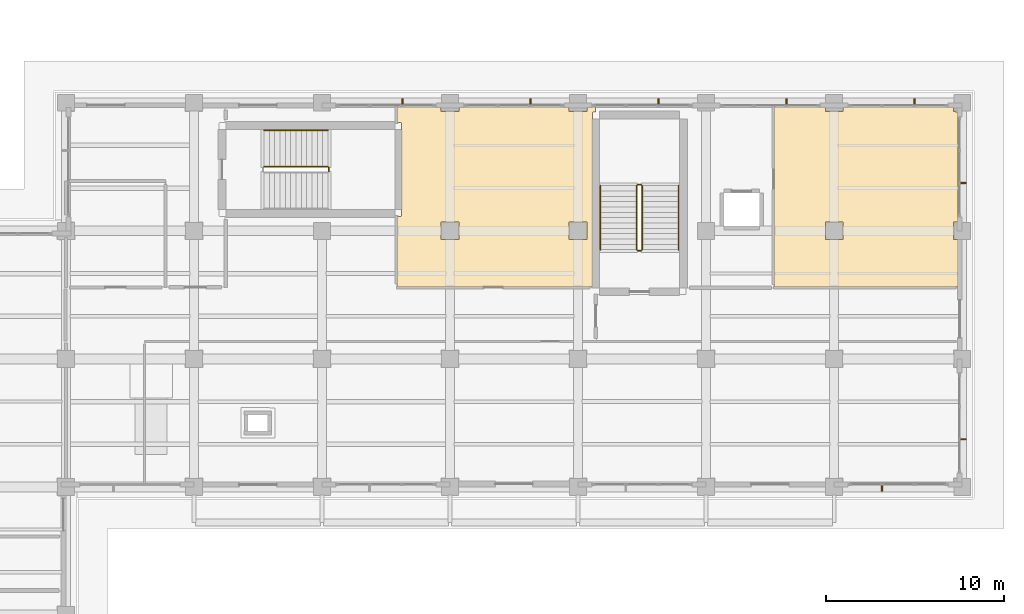
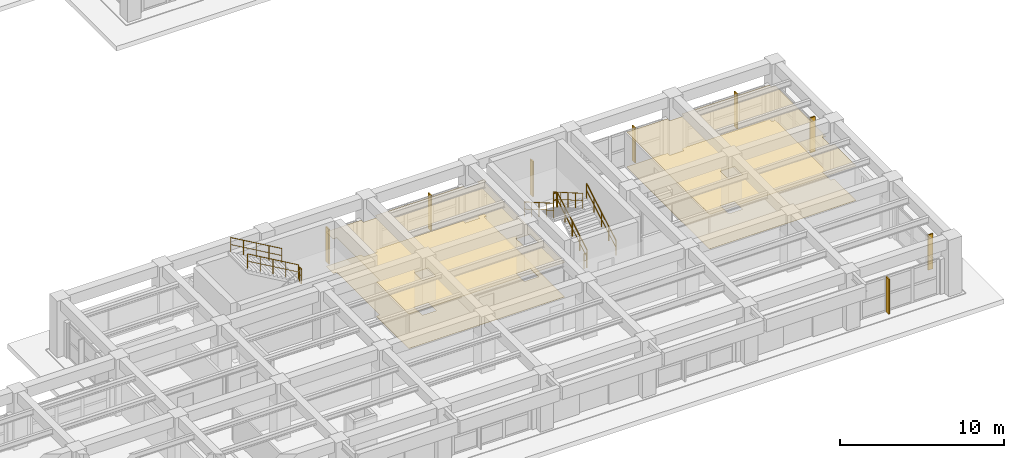
# One storey, part 63 of 64: 9 railings, 8 shading devices, 4 coverings.
"""IFC4 building model written with IfcOpenShell, lengths in metres."""

from ifc_helpers import new_model, si_unit, direction, frame, origin, origin_2d, place, context, subcontext, project, spatial, polyline, rectangle, circle, outline, extrude, material, layer, layer_set, material_profile, profile_set, type_object, element, save


model = new_model("IFC4")

# Units and contexts
model_context = context("Model", 3, precision=1e-05, world=origin(), true_north=direction((0.0, 1.0)))
body_context = subcontext(model_context, "Body", "Model", "MODEL_VIEW")
ifc_project = project(units=[si_unit("LENGTHUNIT", "METRE"), si_unit("AREAUNIT", "SQUARE_METRE"), si_unit("VOLUMEUNIT", "CUBIC_METRE"), si_unit("PLANEANGLEUNIT", "RADIAN"), si_unit("MASSUNIT", "GRAM", prefix="KILO")], contexts=[model_context])

# Site, building, storey
site_placement = place(None, origin())
site = spatial("IfcSite", under=ifc_project, at=site_placement, CompositionType="ELEMENT")
building_placement = place(site_placement, origin())
building = spatial("IfcBuilding", under=site, at=building_placement, Name="Solenvale Faculty of Natural Sciences", CompositionType="ELEMENT")
storey_placement = place(building_placement, origin())
storey = spatial("IfcBuildingStorey", under=building, at=storey_placement, Name="L00", CompositionType="ELEMENT", Elevation=0.0)

# Coverings
ifc_material_1 = material(Name="Oak slatted acoustic timber ceiling", Category="wood")
ifc_layer_1 = layer(ifc_material_1, 0.034912109375)
ifc_layer_set_1 = layer_set([ifc_layer_1], Name="Oak slatted acoustic timber ceiling")
covering_type_1 = type_object("IfcCoveringType", Name="COV-CEIL-WD35", PredefinedType="CEILING", material=ifc_layer_set_1)
covering_1_placement = place(storey_placement, frame((0.0, 0.0, 2.56494140625)))
element("IfcCovering", 1, at=covering_1_placement, inside=storey, type_object=covering_type_1, Name="L00 Learning Commons Acoustic Ceiling", PredefinedType="CEILING", context=body_context, shape_type="SweptSolid", body=[
    extrude(outline(polyline([(133.820068359375, 51.18994140625), (133.846923828125, 51.219970703125), (134.056884765625, 51.220947265625), (134.080078125, 51.25), (134.080078125, 56.450927734375), (134.054931640625, 56.47998046875), (133.846923828125, 56.47998046875), (133.821044921875, 56.5009765625), (133.820068359375, 57.330078125), (133.8359375, 57.35595703125), (136.27294921875, 57.360107421875), (136.300048828125, 57.3330078125), (136.300048828125, 57.111083984375), (136.31103515625, 57.10009765625), (137.29296875, 57.10009765625), (137.300048828125, 57.3330078125), (137.330078125, 57.360107421875), (143.469970703125, 57.360107421875), (143.4990234375, 57.3359375), (143.5, 57.111083984375), (143.510986328125, 57.10009765625), (144.491943359375, 57.10009765625), (144.5, 57.3330078125), (144.51611328125, 57.35595703125), (144.949951171875, 57.360107421875), (144.97607421875, 57.343994140625), (144.97607421875, 57.095947265625), (144.952880859375, 57.080078125), (144.842041015625, 57.0791015625), (144.820068359375, 57.050048828125), (144.820068359375, 47.27001953125), (144.803955078125, 47.243896484375), (133.839111328125, 47.241943359375), (133.820068359375, 47.27001953125), (133.820068359375, 51.18994140625)]), holes=[polyline([(144.5, 50.888916015625), (144.489013671875, 50.89990234375), (143.5029296875, 50.89697265625), (143.5029296875, 49.903076171875), (144.4970703125, 49.903076171875), (144.5, 50.888916015625)]), polyline([(137.300048828125, 50.888916015625), (137.2890625, 50.89990234375), (136.302978515625, 50.89697265625), (136.302978515625, 49.903076171875), (137.297119140625, 49.903076171875), (137.300048828125, 50.888916015625)])]), origin(), (0.0, 0.0, 1.0), 0.03515625),
])
covering_2_placement = place(storey_placement, frame((0.0, 0.0, 2.56494140625)))
element("IfcCovering", 2, at=covering_2_placement, inside=storey, type_object=covering_type_1, Name="L00 Academic Bookshop and Study Commons Acoustic Ceiling", PredefinedType="CEILING", context=body_context, shape_type="SweptSolid", body=[
    extrude(outline(polyline([(155.050048828125, 47.239990234375), (155.029052734375, 47.2490234375), (155.02001953125, 47.27001953125), (155.02001953125, 57.330078125), (155.029052734375, 57.35107421875), (155.050048828125, 57.360107421875), (157.873046875, 57.360107421875), (157.89990234375, 57.3330078125), (157.906982421875, 57.10009765625), (158.888916015625, 57.10009765625), (158.89990234375, 57.111083984375), (158.90087890625, 57.3359375), (158.929931640625, 57.360107421875), (165.070068359375, 57.360107421875), (165.10009765625, 57.3330078125), (165.10302734375, 57.10302734375), (165.35107421875, 57.091064453125), (165.360107421875, 57.070068359375), (165.360107421875, 50.929931640625), (165.3359375, 50.90087890625), (165.111083984375, 50.89990234375), (165.10009765625, 50.888916015625), (165.10009765625, 49.906982421875), (165.3330078125, 49.89990234375), (165.360107421875, 49.873046875), (165.360107421875, 47.27001953125), (165.35107421875, 47.2490234375), (165.330078125, 47.239990234375), (155.050048828125, 47.239990234375)]), holes=[polyline([(158.89990234375, 50.888916015625), (158.888916015625, 50.89990234375), (157.903076171875, 50.89697265625), (157.903076171875, 49.903076171875), (158.89697265625, 49.903076171875), (158.89990234375, 50.888916015625)])]), origin(), (0.0, 0.0, 1.0), 0.03515625),
])
ifc_material_2 = material(Name="Polished slate terrazzo flooring", Category="masonry")
ifc_layer_2 = layer(ifc_material_2, 0.01806640625)
ifc_layer_set_2 = layer_set([ifc_layer_2], Name="Polished slate terrazzo flooring")
covering_type_2 = type_object("IfcCoveringType", Name="COV-FLR-TRZ18", PredefinedType="FLOORING", material=ifc_layer_set_2)
covering_3_placement = place(storey_placement, origin())
element("IfcCovering", 3, at=covering_3_placement, inside=storey, type_object=covering_type_2, Name="L00 Learning Commons Floor Finish", PredefinedType="FLOORING", context=body_context, shape_type="SweptSolid", body=[
    extrude(outline(polyline([(133.820068359375, 51.18994140625), (133.846923828125, 51.219970703125), (134.056884765625, 51.220947265625), (134.080078125, 51.25), (134.080078125, 56.450927734375), (134.054931640625, 56.47998046875), (133.846923828125, 56.47998046875), (133.821044921875, 56.5009765625), (133.820068359375, 57.330078125), (133.8359375, 57.35595703125), (136.27294921875, 57.360107421875), (136.300048828125, 57.3330078125), (136.300048828125, 57.111083984375), (136.31103515625, 57.10009765625), (137.29296875, 57.10009765625), (137.300048828125, 57.3330078125), (137.330078125, 57.360107421875), (143.469970703125, 57.360107421875), (143.4990234375, 57.3359375), (143.5, 57.111083984375), (143.510986328125, 57.10009765625), (144.491943359375, 57.10009765625), (144.5, 57.3330078125), (144.51611328125, 57.35595703125), (144.949951171875, 57.360107421875), (144.97607421875, 57.343994140625), (144.97607421875, 57.095947265625), (144.952880859375, 57.080078125), (144.842041015625, 57.0791015625), (144.820068359375, 57.050048828125), (144.820068359375, 47.27001953125), (144.803955078125, 47.243896484375), (133.839111328125, 47.241943359375), (133.820068359375, 47.27001953125), (133.820068359375, 51.18994140625)]), holes=[polyline([(144.5, 50.888916015625), (144.489013671875, 50.89990234375), (143.5029296875, 50.89697265625), (143.5029296875, 49.903076171875), (144.4970703125, 49.903076171875), (144.5, 50.888916015625)]), polyline([(137.300048828125, 50.888916015625), (137.2890625, 50.89990234375), (136.302978515625, 50.89697265625), (136.302978515625, 49.903076171875), (137.297119140625, 49.903076171875), (137.300048828125, 50.888916015625)])]), origin(), (0.0, 0.0, 1.0), 0.01806640625),
])
covering_4_placement = place(storey_placement, origin())
element("IfcCovering", 4, at=covering_4_placement, inside=storey, type_object=covering_type_2, Name="L00 Academic Bookshop and Study Commons Floor Finish", PredefinedType="FLOORING", context=body_context, shape_type="SweptSolid", body=[
    extrude(outline(polyline([(155.050048828125, 47.239990234375), (155.029052734375, 47.2490234375), (155.02001953125, 47.27001953125), (155.02001953125, 57.330078125), (155.029052734375, 57.35107421875), (155.050048828125, 57.360107421875), (157.873046875, 57.360107421875), (157.89990234375, 57.3330078125), (157.906982421875, 57.10009765625), (158.888916015625, 57.10009765625), (158.89990234375, 57.111083984375), (158.90087890625, 57.3359375), (158.929931640625, 57.360107421875), (165.070068359375, 57.360107421875), (165.10009765625, 57.3330078125), (165.10302734375, 57.10302734375), (165.35107421875, 57.091064453125), (165.360107421875, 57.070068359375), (165.360107421875, 50.929931640625), (165.3359375, 50.90087890625), (165.111083984375, 50.89990234375), (165.10009765625, 50.888916015625), (165.10009765625, 49.906982421875), (165.3330078125, 49.89990234375), (165.360107421875, 49.873046875), (165.360107421875, 47.27001953125), (165.35107421875, 47.2490234375), (165.330078125, 47.239990234375), (155.050048828125, 47.239990234375)]), holes=[polyline([(158.89990234375, 50.888916015625), (158.888916015625, 50.89990234375), (157.903076171875, 50.89697265625), (157.903076171875, 49.903076171875), (158.89697265625, 49.903076171875), (158.89990234375, 50.888916015625)])]), origin(), (0.0, 0.0, 1.0), 0.01806640625),
])

# Railings
ifc_material_3 = material(Name="Stainless steel Grade 304", Category="steel")
railing_type_1 = type_object("IfcRailingType", Name="RL-GRD-1100", PredefinedType="GUARDRAIL", material=ifc_material_3)
railing_1_placement = place(storey_placement, frame((147.60009765625, 49.340087890625, 0.173095703125)))
element("IfcRailing", 5, at=railing_1_placement, inside=storey, type_object=railing_type_1, Name="L00 ST-02 stair guard 1", PredefinedType="GUARDRAIL", context=body_context, shape_type="SweptSolid", body=[
    extrude(circle(Radius=0.02392578125, at=origin_2d()), frame((0.0, 0.0, 1.09619140625), z_axis=(0.0, 0.866178740119, 0.499734319579), x_axis=(-1.0, 0.0, 0.0)), (0.0, 0.0, 1.0), 4.156005859375),
    extrude(circle(Radius=0.01611328125, at=origin_2d()), frame((0.0, 0.0, 0.56005859375), z_axis=(0.0, 0.866178740119, 0.499734319579), x_axis=(-1.0, 0.0, 0.0)), (0.0, 0.0, 1.0), 4.156005859375),
    extrude(circle(Radius=0.02099609375, at=origin_2d()), origin(), (0.0, 0.0, 1.0), 1.072021484375),
    extrude(circle(Radius=0.02099609375, at=origin_2d()), frame((0.0, 0.89990234375, 0.519287109375)), (0.0, 0.0, 1.0), 1.072021484375),
    extrude(circle(Radius=0.02099609375, at=origin_2d()), frame((0.0, 1.7998046875, 1.03857421875)), (0.0, 0.0, 1.0), 1.072021484375),
    extrude(circle(Radius=0.02099609375, at=origin_2d()), frame((0.0, 2.699951171875, 1.5576171875)), (0.0, 0.0, 1.0), 1.072021484375),
    extrude(circle(Radius=0.02099609375, at=origin_2d()), frame((0.0, 3.599853515625, 2.076904296875)), (0.0, 0.0, 1.0), 1.072021484375),
])
railing_2_placement = place(storey_placement, frame((147.550048828125, 52.989990234375, 2.25)))
element("IfcRailing", 6, at=railing_2_placement, inside=storey, type_object=railing_type_1, Name="L00 ST-02 stair guard 2", PredefinedType="GUARDRAIL", context=body_context, shape_type="SweptSolid", body=[
    extrude(circle(Radius=0.02392578125, at=origin_2d()), frame((0.0, 0.0, 1.09619140625), z_axis=(-1.0, 0.0, 0.0), x_axis=(0.0, -1.0, 0.0)), (0.0, 0.0, 1.0), 0.199951171875),
    extrude(circle(Radius=0.01611328125, at=origin_2d()), frame((0.0, 0.0, 0.56005859375), z_axis=(-1.0, 0.0, 0.0), x_axis=(0.0, -1.0, 0.0)), (0.0, 0.0, 1.0), 0.199951171875),
    extrude(circle(Radius=0.02099609375, at=origin_2d()), origin(), (0.0, 0.0, 1.0), 1.072021484375),
    extrude(circle(Radius=0.02099609375, at=origin_2d()), frame((-0.199951171875, 0.0, 0.0)), (0.0, 0.0, 1.0), 1.072021484375),
])
railing_3_placement = place(storey_placement, frame((147.300048828125, 52.93994140625, 2.423095703125)))
element("IfcRailing", 7, at=railing_3_placement, inside=storey, type_object=railing_type_1, Name="L00 ST-02 stair guard 3", PredefinedType="GUARDRAIL", context=body_context, shape_type="SweptSolid", body=[
    extrude(circle(Radius=0.02392578125, at=origin_2d()), frame((0.0, 0.0, 1.09619140625), z_axis=(0.0, -0.866178740119, 0.499734319579), x_axis=(1.0, 0.0, 0.0)), (0.0, 0.0, 1.0), 4.156005859375),
    extrude(circle(Radius=0.01611328125, at=origin_2d()), frame((0.0, 0.0, 0.56005859375), z_axis=(0.0, -0.866178740119, 0.499734319579), x_axis=(1.0, 0.0, 0.0)), (0.0, 0.0, 1.0), 4.156005859375),
    extrude(circle(Radius=0.02099609375, at=origin_2d()), origin(), (0.0, 0.0, 1.0), 1.072021484375),
    extrude(circle(Radius=0.02099609375, at=origin_2d()), frame((0.0, -0.89990234375, 0.519287109375)), (0.0, 0.0, 1.0), 1.072021484375),
    extrude(circle(Radius=0.02099609375, at=origin_2d()), frame((0.0, -1.7998046875, 1.03857421875)), (0.0, 0.0, 1.0), 1.072021484375),
    extrude(circle(Radius=0.02099609375, at=origin_2d()), frame((0.0, -2.699951171875, 1.5576171875)), (0.0, 0.0, 1.0), 1.072021484375),
    extrude(circle(Radius=0.02099609375, at=origin_2d()), frame((0.0, -3.599853515625, 2.076904296875)), (0.0, 0.0, 1.0), 1.072021484375),
])
railing_4_placement = place(storey_placement, frame((147.550048828125, 49.2900390625, 0.0)))
element("IfcRailing", 8, at=railing_4_placement, inside=storey, type_object=railing_type_1, Name="L00 ST-02 stair guard 4", PredefinedType="GUARDRAIL", context=body_context, shape_type="SweptSolid", body=[
    extrude(circle(Radius=0.02392578125, at=origin_2d()), frame((0.0, 0.0, 1.09619140625), z_axis=(-1.0, 0.0, 0.0), x_axis=(0.0, -1.0, 0.0)), (0.0, 0.0, 1.0), 0.199951171875),
    extrude(circle(Radius=0.01611328125, at=origin_2d()), frame((0.0, 0.0, 0.56005859375), z_axis=(-1.0, 0.0, 0.0), x_axis=(0.0, -1.0, 0.0)), (0.0, 0.0, 1.0), 0.199951171875),
    extrude(circle(Radius=0.02099609375, at=origin_2d()), origin(), (0.0, 0.0, 1.0), 1.072021484375),
    extrude(circle(Radius=0.02099609375, at=origin_2d()), frame((-0.199951171875, 0.0, 0.0)), (0.0, 0.0, 1.0), 1.072021484375),
])
railing_5_placement = place(storey_placement, frame((129.989990234375, 53.75, 2.25)))
element("IfcRailing", 9, at=railing_5_placement, inside=storey, type_object=railing_type_1, Name="L00 ST-08 stair guard 2", PredefinedType="GUARDRAIL", context=body_context, shape_type="SweptSolid", body=[
    extrude(circle(Radius=0.02392578125, at=origin_2d()), frame((0.0, 0.0, 1.09619140625), z_axis=(0.0, 1.0, 0.0), x_axis=(-1.0, 0.0, 0.0)), (0.0, 0.0, 1.0), 0.199951171875),
    extrude(circle(Radius=0.01611328125, at=origin_2d()), frame((0.0, 0.0, 0.56005859375), z_axis=(0.0, 1.0, 0.0), x_axis=(-1.0, 0.0, 0.0)), (0.0, 0.0, 1.0), 0.199951171875),
    extrude(circle(Radius=0.02099609375, at=origin_2d()), origin(), (0.0, 0.0, 1.0), 1.072021484375),
    extrude(circle(Radius=0.02099609375, at=origin_2d()), frame((0.0, 0.199951171875, 0.0)), (0.0, 0.0, 1.0), 1.072021484375),
])
railing_6_placement = place(storey_placement, frame((129.93994140625, 54.0, 2.423095703125)))
element("IfcRailing", 10, at=railing_6_placement, inside=storey, type_object=railing_type_1, Name="L00 ST-08 stair guard 3", PredefinedType="GUARDRAIL", context=body_context, shape_type="SweptSolid", body=[
    extrude(circle(Radius=0.02392578125, at=origin_2d()), frame((0.0, 0.0, 1.09619140625), z_axis=(-0.866178740119, 0.0, 0.499734319579), x_axis=(0.0, -1.0, 0.0)), (0.0, 0.0, 1.0), 4.156005859375),
    extrude(circle(Radius=0.01611328125, at=origin_2d()), frame((0.0, 0.0, 0.56005859375), z_axis=(-0.866178740119, 0.0, 0.499734319579), x_axis=(0.0, -1.0, 0.0)), (0.0, 0.0, 1.0), 4.156005859375),
    extrude(circle(Radius=0.02099609375, at=origin_2d()), origin(), (0.0, 0.0, 1.0), 1.072021484375),
    extrude(circle(Radius=0.02099609375, at=origin_2d()), frame((-0.89990234375, 0.0, 0.519287109375)), (0.0, 0.0, 1.0), 1.072021484375),
    extrude(circle(Radius=0.02099609375, at=origin_2d()), frame((-1.7998046875, 0.0, 1.03857421875)), (0.0, 0.0, 1.0), 1.072021484375),
    extrude(circle(Radius=0.02099609375, at=origin_2d()), frame((-2.699951171875, 0.0, 1.5576171875)), (0.0, 0.0, 1.0), 1.072021484375),
    extrude(circle(Radius=0.02099609375, at=origin_2d()), frame((-3.599853515625, 0.0, 2.076904296875)), (0.0, 0.0, 1.0), 1.072021484375),
])
railing_type_2 = type_object("IfcRailingType", Name="RL-HND-900", PredefinedType="HANDRAIL", material=ifc_material_3)
railing_7_placement = place(storey_placement, frame((149.64990234375, 49.340087890625, 0.173095703125)))
element("IfcRailing", 11, at=railing_7_placement, inside=storey, type_object=railing_type_2, Name="L00 ST-02 stair handrail 1", PredefinedType="HANDRAIL", context=body_context, shape_type="SweptSolid", body=[
    extrude(circle(Radius=0.02392578125, at=origin_2d()), frame((0.0, 0.0, 1.0732421875), z_axis=(0.0, 0.866178740119, 0.499734319579), x_axis=(-1.0, 0.0, 0.0)), (0.0, 0.0, 1.0), 4.156005859375),
    extrude(circle(Radius=0.01611328125, at=origin_2d()), frame((0.0, 0.0, 0.548583984375), z_axis=(0.0, 0.866178740119, 0.499734319579), x_axis=(-1.0, 0.0, 0.0)), (0.0, 0.0, 1.0), 4.156005859375),
    extrude(circle(Radius=0.02099609375, at=origin_2d()), origin(), (0.0, 0.0, 1.0), 1.049072265625),
    extrude(circle(Radius=0.02099609375, at=origin_2d()), frame((0.0, 0.89990234375, 0.519287109375)), (0.0, 0.0, 1.0), 1.049072265625),
    extrude(circle(Radius=0.02099609375, at=origin_2d()), frame((0.0, 1.7998046875, 1.03857421875)), (0.0, 0.0, 1.0), 1.049072265625),
    extrude(circle(Radius=0.02099609375, at=origin_2d()), frame((0.0, 2.699951171875, 1.5576171875)), (0.0, 0.0, 1.0), 1.049072265625),
    extrude(circle(Radius=0.02099609375, at=origin_2d()), frame((0.0, 3.599853515625, 2.076904296875)), (0.0, 0.0, 1.0), 1.049072265625),
])
railing_8_placement = place(storey_placement, frame((145.25, 52.93994140625, 2.423095703125)))
element("IfcRailing", 12, at=railing_8_placement, inside=storey, type_object=railing_type_2, Name="L00 ST-02 stair handrail 2", PredefinedType="HANDRAIL", context=body_context, shape_type="SweptSolid", body=[
    extrude(circle(Radius=0.02392578125, at=origin_2d()), frame((0.0, 0.0, 1.0732421875), z_axis=(0.0, -0.866178740119, 0.499734319579), x_axis=(1.0, 0.0, 0.0)), (0.0, 0.0, 1.0), 4.156005859375),
    extrude(circle(Radius=0.01611328125, at=origin_2d()), frame((0.0, 0.0, 0.548583984375), z_axis=(0.0, -0.866178740119, 0.499734319579), x_axis=(1.0, 0.0, 0.0)), (0.0, 0.0, 1.0), 4.156005859375),
    extrude(circle(Radius=0.02099609375, at=origin_2d()), origin(), (0.0, 0.0, 1.0), 1.049072265625),
    extrude(circle(Radius=0.02099609375, at=origin_2d()), frame((0.0, -0.89990234375, 0.519287109375)), (0.0, 0.0, 1.0), 1.049072265625),
    extrude(circle(Radius=0.02099609375, at=origin_2d()), frame((0.0, -1.7998046875, 1.03857421875)), (0.0, 0.0, 1.0), 1.049072265625),
    extrude(circle(Radius=0.02099609375, at=origin_2d()), frame((0.0, -2.699951171875, 1.5576171875)), (0.0, 0.0, 1.0), 1.049072265625),
    extrude(circle(Radius=0.02099609375, at=origin_2d()), frame((0.0, -3.599853515625, 2.076904296875)), (0.0, 0.0, 1.0), 1.049072265625),
])
railing_9_placement = place(storey_placement, frame((129.93994140625, 56.050048828125, 2.423095703125)))
element("IfcRailing", 13, at=railing_9_placement, inside=storey, type_object=railing_type_2, Name="L00 ST-08 stair handrail 2", PredefinedType="HANDRAIL", context=body_context, shape_type="SweptSolid", body=[
    extrude(circle(Radius=0.02392578125, at=origin_2d()), frame((0.0, 0.0, 1.0732421875), z_axis=(-0.866178740119, 0.0, 0.499734319579), x_axis=(0.0, -1.0, 0.0)), (0.0, 0.0, 1.0), 4.156005859375),
    extrude(circle(Radius=0.01611328125, at=origin_2d()), frame((0.0, 0.0, 0.548583984375), z_axis=(-0.866178740119, 0.0, 0.499734319579), x_axis=(0.0, -1.0, 0.0)), (0.0, 0.0, 1.0), 4.156005859375),
    extrude(circle(Radius=0.02099609375, at=origin_2d()), origin(), (0.0, 0.0, 1.0), 1.049072265625),
    extrude(circle(Radius=0.02099609375, at=origin_2d()), frame((-0.89990234375, 0.0, 0.519287109375)), (0.0, 0.0, 1.0), 1.049072265625),
    extrude(circle(Radius=0.02099609375, at=origin_2d()), frame((-1.7998046875, 0.0, 1.03857421875)), (0.0, 0.0, 1.0), 1.049072265625),
    extrude(circle(Radius=0.02099609375, at=origin_2d()), frame((-2.699951171875, 0.0, 1.5576171875)), (0.0, 0.0, 1.0), 1.049072265625),
    extrude(circle(Radius=0.02099609375, at=origin_2d()), frame((-3.599853515625, 0.0, 2.076904296875)), (0.0, 0.0, 1.0), 1.049072265625),
])

# Shading devices
ifc_material_4 = material(Name="Anodised bronze aluminium", Category="aluminium")
ifc_material_profile = material_profile(ifc_material_4, rectangle(XDim=0.080078125, YDim=0.360107421875, at=origin_2d()), Name="ALU-FIN-80x360")
ifc_profile_set = profile_set([ifc_material_profile], Name="Anodised bronze aluminium")
shading_device_type = type_object("IfcShadingDeviceType", Name="SHD-FIN-360", PredefinedType="JALOUSIE", material=ifc_profile_set)
for number, where, z_axis, x_axis, name in (
    (14, (161.083251953125, 35.93994140625, -0.02001953125), (0.0, 0.0, 1.0), (1.0, 0.0, 0.0), "L00 Vertical Brise-Soleil Fin 5.7"),
    (15, (165.659912109375, 38.683349609375, -0.02001953125), (0.0, 0.0, 1.0), (0.0, 1.0, 0.0), "L00 Vertical Brise-Soleil Fin 6.1"),
    (16, (165.659912109375, 53.083251953125, -0.02001953125), (0.0, 0.0, 1.0), (0.0, 1.0, 0.0), "L00 Vertical Brise-Soleil Fin 6.3"),
    (17, (162.916748046875, 57.659912109375, -0.02001953125), (0.0, 0.0, 1.0), (1.0, 0.0, 0.0), "L00 Vertical Brise-Soleil Fin 7.1"),
    (18, (155.716552734375, 57.659912109375, -0.02001953125), (0.0, 0.0, 1.0), (1.0, 0.0, 0.0), "L00 Vertical Brise-Soleil Fin 7.2"),
    (19, (148.5166015625, 57.659912109375, -0.02001953125), (0.0, 0.0, 1.0), (1.0, 0.0, 0.0), "L00 Vertical Brise-Soleil Fin 7.3"),
    (20, (141.316650390625, 57.659912109375, -0.02001953125), (0.0, 0.0, 1.0), (1.0, 0.0, 0.0), "L00 Vertical Brise-Soleil Fin 7.4"),
    (21, (134.11669921875, 57.659912109375, -0.02001953125), (0.0, 0.0, 1.0), (1.0, 0.0, 0.0), "L00 Vertical Brise-Soleil Fin 7.5"),
):
    element("IfcShadingDevice", number, at=place(storey_placement, frame(where, z_axis=z_axis, x_axis=x_axis)), inside=storey, type_object=shading_device_type, Name=name, PredefinedType="JALOUSIE", context=body_context, shape_type="SweptSolid", body=[
        extrude(rectangle(XDim=0.080078125, YDim=0.360107421875, at=origin_2d()), origin(), (0.0, 0.0, 1.0), 2.6201171875),
    ])

save(model, "model.ifc")
